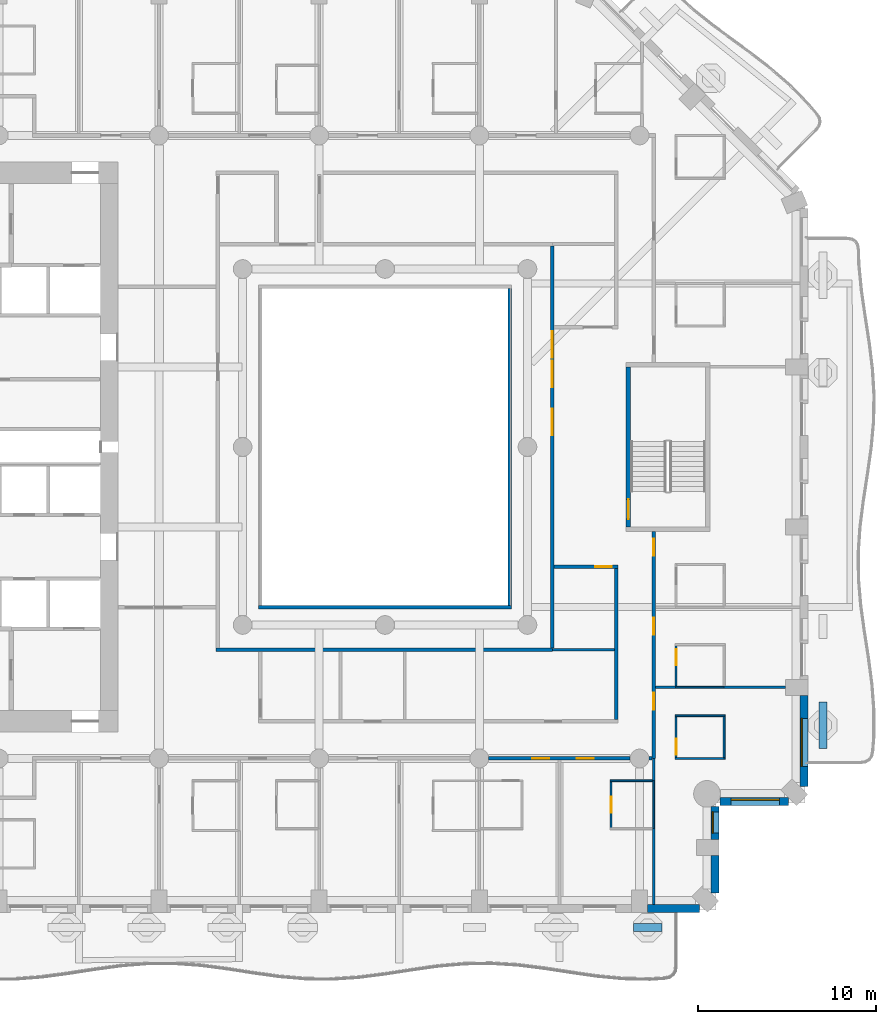
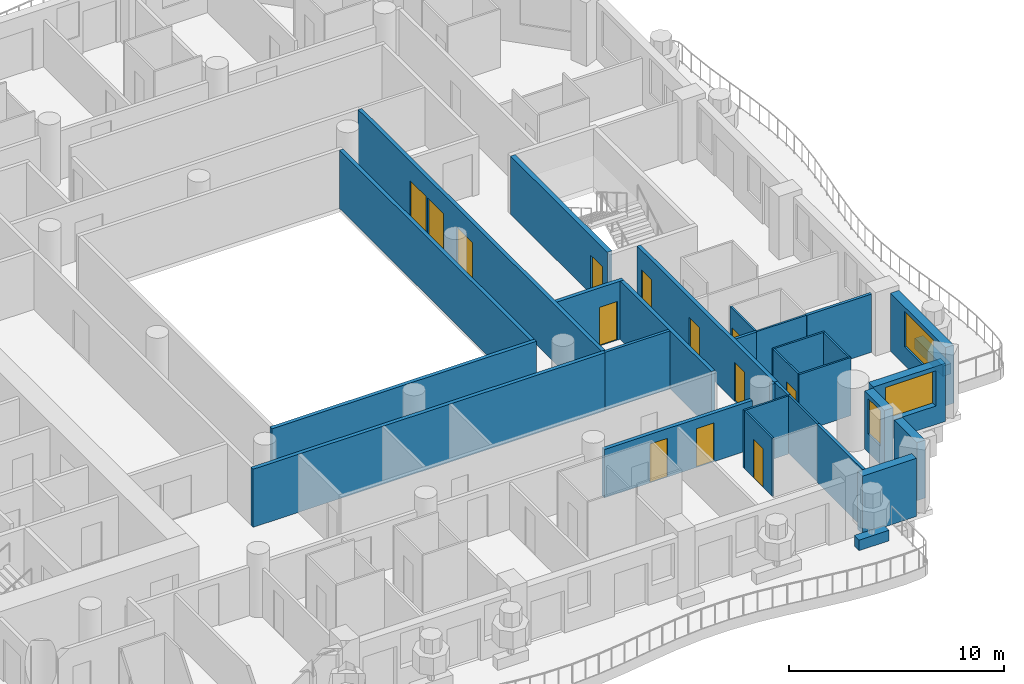
# One storey, part 6 of 20: 31 walls, 13 doors, 3 windows, 16 openings.
"""IFC4 building model written with IfcOpenShell, lengths in metres."""

from ifc_helpers import new_model, si_unit, direction, frame, frame_2d, origin, place, context, subcontext, project, spatial, rectangle, extrude, material, layer, layer_set, type_object, element, fill, save


model = new_model("IFC4")

# Units and contexts
model_context = context("Model", 3, precision=1e-05, world=origin(), true_north=direction((0.0, 1.0)))
body_context = subcontext(model_context, "Body", "Model", "MODEL_VIEW")
ifc_project = project(units=[si_unit("LENGTHUNIT", "METRE"), si_unit("AREAUNIT", "SQUARE_METRE"), si_unit("VOLUMEUNIT", "CUBIC_METRE"), si_unit("PLANEANGLEUNIT", "RADIAN"), si_unit("MASSUNIT", "GRAM", prefix="KILO")], contexts=[model_context])

# Site, building, storey
site_placement = place(None, origin())
site = spatial("IfcSite", under=ifc_project, at=site_placement, CompositionType="ELEMENT")
building_placement = place(site_placement, origin())
building = spatial("IfcBuilding", under=site, at=building_placement, Name="Cypress Arch Tower", CompositionType="ELEMENT")
storey_placement = place(building_placement, frame((0.0, 0.0, 116.699951171875)))
storey = spatial("IfcBuildingStorey", under=building, at=storey_placement, Name="L24", CompositionType="ELEMENT", Elevation=116.699951171875)

# Walls
ifc_material_1 = material(Name="Concrete C40/50, waterproofed", Category="concrete")
ifc_layer_1 = layer(ifc_material_1, 0.449951171875)
ifc_layer_set_1 = layer_set([ifc_layer_1], Name="Balcony planter wall PW450")
wall_type_1 = type_object("IfcWallType", Name="Balcony planter wall PW450", PredefinedType="SOLIDWALL", material=ifc_layer_set_1)
wall_1_placement = place(storey_placement, frame((14.949951171875, -27.0, 0.0), z_axis=(0.0, 0.0, 1.0), x_axis=(1.0, 0.0, 0.0)))
element("IfcWall", 1, at=wall_1_placement, inside=storey, type_object=wall_type_1, Name="Balcony planter wall L24-A03.7", PredefinedType="SOLIDWALL", context=body_context, shape_type="SweptSolid", body=[
    extrude(rectangle(XDim=1.60009765625, YDim=0.449951171875, at=frame_2d((0.800048828125, 0.0))), origin(), (0.0, 0.0, 1.0), 0.60009765625),
])
wall_2_placement = place(storey_placement, frame((25.60009765625, -16.949951171875, 0.0), z_axis=(0.0, 0.0, 1.0), x_axis=(0.0, 1.0, 0.0)))
element("IfcWall", 2, at=wall_2_placement, inside=storey, type_object=wall_type_1, Name="Balcony planter wall L24-A06.1", PredefinedType="SOLIDWALL", context=body_context, shape_type="SweptSolid", body=[
    extrude(rectangle(XDim=2.6142578125, YDim=0.449951171875, at=frame_2d((1.30712890625, 0.0))), origin(), (0.0, 0.0, 1.0), 0.60009765625),
])
ifc_material_2 = material(Name="Brick (red buff blend)", Category="masonry")
ifc_layer_2 = layer(ifc_material_2, 0.449951171875)
ifc_layer_set_2 = layer_set([ifc_layer_2], Name="Brick pier and spandrel wall BW450")
wall_type_2 = type_object("IfcWallType", Name="Brick pier and spandrel wall BW450", PredefinedType="SOLIDWALL", material=ifc_layer_set_2)
wall_3_placement = place(storey_placement, frame((15.75, -25.925048828125, 0.0), z_axis=(0.0, 0.0, 1.0), x_axis=(1.0, 0.0, 0.0)))
element("IfcWall", 3, at=wall_3_placement, inside=storey, type_object=wall_type_2, Name="Brick wall L24 A03.5", PredefinedType="SOLIDWALL", context=body_context, shape_type="SweptSolid", body=[
    extrude(rectangle(XDim=2.91357421875, YDim=0.449951171875, at=frame_2d((1.456787109375, 0.0))), origin(), (0.0, 0.0, 1.0), 3.300048828125),
])
wall_4_placement = place(storey_placement, frame((19.52490234375, -25.063720703125, 0.0), z_axis=(0.0, 0.0, 1.0), x_axis=(0.0, 1.0, 0.0)))
element("IfcWall", 4, at=wall_4_placement, inside=storey, type_object=wall_type_2, Name="Brick wall L24 A04.0", PredefinedType="SOLIDWALL", context=body_context, shape_type="SweptSolid", body=[
    extrude(rectangle(XDim=2.11376953125, YDim=0.449951171875, at=frame_2d((1.056884765625, 0.0))), origin(), (0.0, 0.0, 1.0), 3.300048828125),
])

# Wall, opening, window
wall_5_placement = place(storey_placement, frame((19.52490234375, -22.050048828125, 0.0), z_axis=(0.0, 0.0, 1.0), x_axis=(0.0, 1.0, 0.0)))
wall_5 = element("IfcWall", 5, at=wall_5_placement, inside=storey, type_object=wall_type_2, Name="Brick wall L24 A04.1", PredefinedType="SOLIDWALL", context=body_context, shape_type="SweptSolid", body=[
    extrude(rectangle(XDim=1.843017578125, YDim=0.449951171875, at=frame_2d((0.92138671875, 0.0))), origin(), (0.0, 0.0, 1.0), 3.300048828125),
])
opening_1_placement = place(wall_5_placement, frame((0.35009765625, 0.0, 1.050048828125)))
opening_1 = element("IfcOpeningElement", 6, at=opening_1_placement, cuts=wall_5, Name="Opening W120H", PredefinedType="OPENING", context=body_context, shape_type="SweptSolid", body=[
    extrude(rectangle(XDim=1.199951171875, YDim=2.0, at=frame_2d((0.60009765625, 1.0))), frame((0.0, 0.23486328125, 0.0), z_axis=(0.0, -1.0, 0.0), x_axis=(1.0, 0.0, 0.0)), (0.0, 0.0, 1.0), 0.469970703125),
])
ifc_material_3 = material(Name="Anodised aluminium, bronze finish, clear low-emissivity double glazing", Category="aluminium")
window_type_1 = type_object("IfcWindowType", Name="Window Hotel 1200x2000", PartitioningType="SINGLE_PANEL", PredefinedType="WINDOW", material=ifc_material_3)
window_1_placement = place(opening_1_placement, origin())
window_1 = element("IfcWindow", 7, at=window_1_placement, inside=storey, type_object=window_type_1, Name="Window L24 A04.1.1", OverallHeight=2.0, OverallWidth=1.199951171875, PartitioningType="SINGLE_PANEL", PredefinedType="WINDOW", context=body_context, shape_type="SweptSolid", body=[
    extrude(rectangle(XDim=1.199951171875, YDim=2.0, at=frame_2d((0.60009765625, 1.0))), frame((0.0, 0.135009765625, 0.0), z_axis=(0.0, -1.0, 0.0), x_axis=(1.0, 0.0, 0.0)), (0.0, 0.0, 1.0), 0.06005859375),
])
fill(opening_1, window_1)

wall_6_placement = place(storey_placement, frame((19.806884765625, -19.925048828125, 0.0), z_axis=(0.0, 0.0, 1.0), x_axis=(1.0, 0.0, 0.0)))
wall_6 = element("IfcWall", 8, at=wall_6_placement, inside=storey, type_object=wall_type_2, Name="Brick wall L24 A05.0", PredefinedType="SOLIDWALL", context=body_context, shape_type="SweptSolid", body=[
    extrude(rectangle(XDim=3.856689453125, YDim=0.449951171875, at=frame_2d((1.92822265625, 0.0))), origin(), (0.0, 0.0, 1.0), 3.300048828125),
])
opening_2_placement = place(wall_6_placement, frame((0.64306640625, 0.0, 1.050048828125)))
opening_2 = element("IfcOpeningElement", 9, at=opening_2_placement, cuts=wall_6, Name="Opening W270H", PredefinedType="OPENING", context=body_context, shape_type="SweptSolid", body=[
    extrude(rectangle(XDim=2.699951171875, YDim=2.0, at=frame_2d((1.35009765625, 1.0))), frame((0.0, 0.23486328125, 0.0), z_axis=(0.0, -1.0, 0.0), x_axis=(1.0, 0.0, 0.0)), (0.0, 0.0, 1.0), 0.469970703125),
])
ifc_material_4 = material(Name="Anodised aluminium, bronze finish, clear low-emissivity double glazing", Category="aluminium")
window_type_2 = type_object("IfcWindowType", Name="Window Hotel 2700x2000", PartitioningType="SINGLE_PANEL", PredefinedType="WINDOW", material=ifc_material_4)
window_2_placement = place(opening_2_placement, origin())
window_2 = element("IfcWindow", 10, at=window_2_placement, inside=storey, type_object=window_type_2, Name="Window L24 A05.0.1", OverallHeight=2.0, OverallWidth=2.699951171875, PartitioningType="SINGLE_PANEL", PredefinedType="WINDOW", context=body_context, shape_type="SweptSolid", body=[
    extrude(rectangle(XDim=2.699951171875, YDim=2.0, at=frame_2d((1.35009765625, 1.0))), frame((0.0, 0.135009765625, 0.0), z_axis=(0.0, -1.0, 0.0), x_axis=(1.0, 0.0, 0.0)), (0.0, 0.0, 1.0), 0.06005859375),
])
fill(opening_2, window_2)

wall_7_placement = place(storey_placement, frame((24.52490234375, -19.063720703125, 0.0), z_axis=(0.0, 0.0, 1.0), x_axis=(0.0, 1.0, 0.0)))
wall_7 = element("IfcWall", 11, at=wall_7_placement, inside=storey, type_object=wall_type_2, Name="Brick wall L24 A06.0", PredefinedType="SOLIDWALL", context=body_context, shape_type="SweptSolid", body=[
    extrude(rectangle(XDim=5.11376953125, YDim=0.449951171875, at=frame_2d((2.556884765625, 0.0))), origin(), (0.0, 0.0, 1.0), 3.300048828125),
])
opening_3_placement = place(wall_7_placement, frame((1.113525390625, 0.0, 1.050048828125)))
opening_3 = element("IfcOpeningElement", 12, at=opening_3_placement, cuts=wall_7, Name="Opening W270HD", PredefinedType="OPENING", context=body_context, shape_type="SweptSolid", body=[
    extrude(rectangle(XDim=2.699951171875, YDim=2.0, at=frame_2d((1.35009765625, 1.0))), frame((0.0, 0.23486328125, 0.0), z_axis=(0.0, -1.0, 0.0), x_axis=(1.0, 0.0, 0.0)), (0.0, 0.0, 1.0), 0.469970703125),
])
ifc_material_5 = material(Name="Anodised aluminium, bronze finish, laminated low-emissivity double glazing, large-missile impact rated", Category="aluminium")
window_type_3 = type_object("IfcWindowType", Name="Window Hotel 2700x2000 debris-rated", PartitioningType="SINGLE_PANEL", PredefinedType="WINDOW", material=ifc_material_5)
window_3_placement = place(opening_3_placement, origin())
window_3 = element("IfcWindow", 13, at=window_3_placement, inside=storey, type_object=window_type_3, Name="Window L24 A06.0.1", OverallHeight=2.0, OverallWidth=2.699951171875, PartitioningType="SINGLE_PANEL", PredefinedType="WINDOW", context=body_context, shape_type="SweptSolid", body=[
    extrude(rectangle(XDim=2.699951171875, YDim=2.0, at=frame_2d((1.35009765625, 1.0))), frame((0.0, 0.135009765625, 0.0), z_axis=(0.0, -1.0, 0.0), x_axis=(1.0, 0.0, 0.0)), (0.0, 0.0, 1.0), 0.06005859375),
])
fill(opening_3, window_3)

# Wall, openings, doors
ifc_material_6 = material(Name="Concrete blockwork, plastered, rated", Category="masonry")
ifc_layer_3 = layer(ifc_material_6, 0.199951171875)
ifc_layer_set_3 = layer_set([ifc_layer_3], Name="Corridor wall FW200")
wall_type_3 = type_object("IfcWallType", Name="Corridor wall FW200", PredefinedType="PARTITIONING", material=ifc_layer_set_3)
wall_8_placement = place(storey_placement, frame((6.824951171875, -17.5, 0.0), z_axis=(0.0, 0.0, 1.0), x_axis=(1.0, 0.0, 0.0)))
wall_8 = element("IfcWall", 14, at=wall_8_placement, inside=storey, type_object=wall_type_3, Name="Corridor wall", PredefinedType="PARTITIONING", context=body_context, shape_type="SweptSolid", body=[
    extrude(rectangle(XDim=7.949951171875, YDim=0.199951171875, at=frame_2d((3.97509765625, 0.0))), origin(), (0.0, 0.0, 1.0), 2.75),
])
opening_4_placement = place(wall_8_placement, frame((2.449951171875, 0.0, 0.0)))
opening_4 = element("IfcOpeningElement", 15, at=opening_4_placement, cuts=wall_8, Name="Opening D02", PredefinedType="OPENING", context=body_context, shape_type="SweptSolid", body=[
    extrude(rectangle(XDim=0.949951171875, YDim=2.199951171875, at=frame_2d((0.47509765625, 1.10009765625))), frame((0.0, 0.10986328125, 0.0), z_axis=(0.0, -1.0, 0.0), x_axis=(1.0, 0.0, 0.0)), (0.0, 0.0, 1.0), 0.219970703125),
])
opening_5_placement = place(wall_8_placement, frame((4.949951171875, 0.0, 0.0)))
opening_5 = element("IfcOpeningElement", 16, at=opening_5_placement, cuts=wall_8, Name="Opening D02", PredefinedType="OPENING", context=body_context, shape_type="SweptSolid", body=[
    extrude(rectangle(XDim=0.949951171875, YDim=2.199951171875, at=frame_2d((0.47509765625, 1.10009765625))), frame((0.0, 0.10986328125, 0.0), z_axis=(0.0, -1.0, 0.0), x_axis=(1.0, 0.0, 0.0)), (0.0, 0.0, 1.0), 0.219970703125),
])
ifc_material_7 = material(Name="Timber flush door, fire resisting", Category="wood")
door_type_1 = type_object("IfcDoorType", Name="Room door D02 950x2200", OperationType="SINGLE_SWING_LEFT", PredefinedType="DOOR", material=ifc_material_7)
door_1_placement = place(opening_4_placement, origin())
door_1 = element("IfcDoor", 17, at=door_1_placement, inside=storey, type_object=door_type_1, Name="Room door", OperationType="SINGLE_SWING_LEFT", OverallHeight=2.199951171875, OverallWidth=0.949951171875, PredefinedType="DOOR", context=body_context, shape_type="SweptSolid", body=[
    extrude(rectangle(XDim=0.949951171875, YDim=2.199951171875, at=frame_2d((0.47509765625, 1.10009765625))), frame((0.0, 0.02490234375, 0.0), z_axis=(0.0, -1.0, 0.0), x_axis=(1.0, 0.0, 0.0)), (0.0, 0.0, 1.0), 0.050048828125),
])
fill(opening_4, door_1)
door_2_placement = place(opening_5_placement, origin())
door_2 = element("IfcDoor", 18, at=door_2_placement, inside=storey, type_object=door_type_1, Name="Room door", OperationType="SINGLE_SWING_RIGHT", OverallHeight=2.199951171875, OverallWidth=0.949951171875, PredefinedType="DOOR", context=body_context, shape_type="SweptSolid", body=[
    extrude(rectangle(XDim=0.949951171875, YDim=2.199951171875, at=frame_2d((0.47509765625, 1.10009765625))), frame((0.0, 0.02490234375, 0.0), z_axis=(0.0, -1.0, 0.0), x_axis=(1.0, 0.0, 0.0)), (0.0, 0.0, 1.0), 0.050048828125),
])
fill(opening_5, door_2)

# Walls
wall_9_placement = place(storey_placement, frame((15.824951171875, -17.5, 0.0), z_axis=(0.0, 0.0, 1.0), x_axis=(1.0, 0.0, 0.0)))
element("IfcWall", 19, at=wall_9_placement, inside=storey, type_object=wall_type_3, Name="Corridor wall", PredefinedType="PARTITIONING", context=body_context, shape_type="SweptSolid", body=[
    extrude(rectangle(XDim=0.175048828125, YDim=0.199951171875, at=frame_2d((0.08740234375, 0.0))), origin(), (0.0, 0.0, 1.0), 3.300048828125),
])
wall_10_placement = place(storey_placement, frame((-8.5, -11.39990234375, 0.0), z_axis=(0.0, 0.0, 1.0), x_axis=(1.0, 0.0, 0.0)))
element("IfcWall", 20, at=wall_10_placement, inside=storey, type_object=wall_type_3, Name="Corridor wall", PredefinedType="PARTITIONING", context=body_context, shape_type="SweptSolid", body=[
    extrude(rectangle(XDim=18.89990234375, YDim=0.199951171875, at=frame_2d((9.449951171875, 0.0))), origin(), (0.0, 0.0, 1.0), 3.300048828125),
])
wall_11_placement = place(storey_placement, frame((-6.10009765625, -9.0, 0.0), z_axis=(0.0, 0.0, 1.0), x_axis=(1.0, 0.0, 0.0)))
element("IfcWall", 21, at=wall_11_placement, inside=storey, type_object=wall_type_3, Name="Corridor wall", PredefinedType="PARTITIONING", context=body_context, shape_type="SweptSolid", body=[
    extrude(rectangle(XDim=14.2001953125, YDim=0.199951171875, at=frame_2d((7.10009765625, 0.0))), origin(), (0.0, 0.0, 1.0), 3.300048828125),
])
wall_12_placement = place(storey_placement, frame((8.0, -8.89990234375, 0.0), z_axis=(0.0, 0.0, 1.0), x_axis=(0.0, 1.0, 0.0)))
element("IfcWall", 22, at=wall_12_placement, inside=storey, type_object=wall_type_3, Name="Corridor wall", PredefinedType="PARTITIONING", context=body_context, shape_type="SweptSolid", body=[
    extrude(rectangle(XDim=17.7998046875, YDim=0.199951171875, at=frame_2d((8.89990234375, 0.0))), origin(), (0.0, 0.0, 1.0), 3.300048828125),
])

# Wall, openings, doors
wall_13_placement = place(storey_placement, frame((10.39990234375, -11.300048828125, 0.0), z_axis=(0.0, 0.0, 1.0), x_axis=(0.0, 1.0, 0.0)))
wall_13 = element("IfcWall", 23, at=wall_13_placement, inside=storey, type_object=wall_type_3, Name="Corridor wall", PredefinedType="PARTITIONING", context=body_context, shape_type="SweptSolid", body=[
    extrude(rectangle(XDim=22.60009765625, YDim=0.199951171875, at=frame_2d((11.300048828125, 0.0))), origin(), (0.0, 0.0, 1.0), 3.300048828125),
])
opening_6_placement = place(wall_13_placement, frame((16.300048828125, 0.0, 0.0)))
opening_6 = element("IfcOpeningElement", 24, at=opening_6_placement, cuts=wall_13, Name="Opening D04", PredefinedType="OPENING", context=body_context, shape_type="SweptSolid", body=[
    extrude(rectangle(XDim=1.5, YDim=2.199951171875, at=frame_2d((0.75, 1.10009765625))), frame((0.0, 0.10986328125, 0.0), z_axis=(0.0, -1.0, 0.0), x_axis=(1.0, 0.0, 0.0)), (0.0, 0.0, 1.0), 0.219970703125),
])
opening_7_placement = place(wall_13_placement, frame((14.64990234375, 0.0, 0.0)))
opening_7 = element("IfcOpeningElement", 25, at=opening_7_placement, cuts=wall_13, Name="Opening D04", PredefinedType="OPENING", context=body_context, shape_type="SweptSolid", body=[
    extrude(rectangle(XDim=1.5, YDim=2.199951171875, at=frame_2d((0.75, 1.10009765625))), frame((0.0, 0.10986328125, 0.0), z_axis=(0.0, -1.0, 0.0), x_axis=(1.0, 0.0, 0.0)), (0.0, 0.0, 1.0), 0.219970703125),
])
opening_8_placement = place(wall_13_placement, frame((11.949951171875, 0.0, 0.0)))
opening_8 = element("IfcOpeningElement", 26, at=opening_8_placement, cuts=wall_13, Name="Opening D04", PredefinedType="OPENING", context=body_context, shape_type="SweptSolid", body=[
    extrude(rectangle(XDim=1.5, YDim=2.199951171875, at=frame_2d((0.75, 1.10009765625))), frame((0.0, 0.10986328125, 0.0), z_axis=(0.0, -1.0, 0.0), x_axis=(1.0, 0.0, 0.0)), (0.0, 0.0, 1.0), 0.219970703125),
])
ifc_material_8 = material(Name="Timber double door", Category="wood")
door_type_2 = type_object("IfcDoorType", Name="Double door D04 1500x2200", OperationType="DOUBLE_DOOR_SINGLE_SWING", PredefinedType="DOOR", material=ifc_material_8)
door_3_placement = place(opening_6_placement, origin())
door_3 = element("IfcDoor", 27, at=door_3_placement, inside=storey, type_object=door_type_2, Name="Double door", OperationType="DOUBLE_DOOR_SINGLE_SWING", OverallHeight=2.199951171875, OverallWidth=1.5, PredefinedType="DOOR", context=body_context, shape_type="SweptSolid", body=[
    extrude(rectangle(XDim=1.5, YDim=2.199951171875, at=frame_2d((0.75, 1.10009765625))), frame((0.0, 0.02490234375, 0.0), z_axis=(0.0, -1.0, 0.0), x_axis=(1.0, 0.0, 0.0)), (0.0, 0.0, 1.0), 0.050048828125),
])
fill(opening_6, door_3)
door_4_placement = place(opening_7_placement, origin())
door_4 = element("IfcDoor", 28, at=door_4_placement, inside=storey, type_object=door_type_2, Name="Double door", OperationType="DOUBLE_DOOR_SINGLE_SWING", OverallHeight=2.199951171875, OverallWidth=1.5, PredefinedType="DOOR", context=body_context, shape_type="SweptSolid", body=[
    extrude(rectangle(XDim=1.5, YDim=2.199951171875, at=frame_2d((0.75, 1.10009765625))), frame((0.0, 0.02490234375, 0.0), z_axis=(0.0, -1.0, 0.0), x_axis=(1.0, 0.0, 0.0)), (0.0, 0.0, 1.0), 0.050048828125),
])
fill(opening_7, door_4)
door_5_placement = place(opening_8_placement, origin())
door_5 = element("IfcDoor", 29, at=door_5_placement, inside=storey, type_object=door_type_2, Name="Double door", OperationType="DOUBLE_DOOR_SINGLE_SWING", OverallHeight=2.199951171875, OverallWidth=1.5, PredefinedType="DOOR", context=body_context, shape_type="SweptSolid", body=[
    extrude(rectangle(XDim=1.5, YDim=2.199951171875, at=frame_2d((0.75, 1.10009765625))), frame((0.0, 0.02490234375, 0.0), z_axis=(0.0, -1.0, 0.0), x_axis=(1.0, 0.0, 0.0)), (0.0, 0.0, 1.0), 0.050048828125),
])
fill(opening_8, door_5)

# Wall, opening, door
wall_14_placement = place(storey_placement, frame((10.5, -6.72509765625, 0.0), z_axis=(0.0, 0.0, 1.0), x_axis=(1.0, 0.0, 0.0)))
wall_14 = element("IfcWall", 30, at=wall_14_placement, inside=storey, type_object=wall_type_3, Name="Corridor wall", PredefinedType="PARTITIONING", context=body_context, shape_type="SweptSolid", body=[
    extrude(rectangle(XDim=3.60009765625, YDim=0.199951171875, at=frame_2d((1.800048828125, 0.0))), origin(), (0.0, 0.0, 1.0), 3.300048828125),
])
opening_9_placement = place(wall_14_placement, frame((2.300048828125, 0.0, 0.0)))
opening_9 = element("IfcOpeningElement", 31, at=opening_9_placement, cuts=wall_14, Name="Opening D02", PredefinedType="OPENING", context=body_context, shape_type="SweptSolid", body=[
    extrude(rectangle(XDim=0.949951171875, YDim=2.199951171875, at=frame_2d((0.47509765625, 1.10009765625))), frame((0.0, 0.10986328125, 0.0), z_axis=(0.0, -1.0, 0.0), x_axis=(1.0, 0.0, 0.0)), (0.0, 0.0, 1.0), 0.219970703125),
])
door_6_placement = place(opening_9_placement, origin())
door_6 = element("IfcDoor", 32, at=door_6_placement, inside=storey, type_object=door_type_1, Name="Room door", OperationType="SINGLE_SWING_LEFT", OverallHeight=2.199951171875, OverallWidth=0.949951171875, PredefinedType="DOOR", context=body_context, shape_type="SweptSolid", body=[
    extrude(rectangle(XDim=0.949951171875, YDim=2.199951171875, at=frame_2d((0.47509765625, 1.10009765625))), frame((0.0, 0.02490234375, 0.0), z_axis=(0.0, -1.0, 0.0), x_axis=(1.0, 0.0, 0.0)), (0.0, 0.0, 1.0), 0.050048828125),
])
fill(opening_9, door_6)

# Wall
wall_15_placement = place(storey_placement, frame((14.0, -15.300048828125, 0.0), z_axis=(0.0, 0.0, 1.0), x_axis=(0.0, 1.0, 0.0)))
element("IfcWall", 33, at=wall_15_placement, inside=storey, type_object=wall_type_3, Name="Corridor wall", PredefinedType="PARTITIONING", context=body_context, shape_type="SweptSolid", body=[
    extrude(rectangle(XDim=8.47509765625, YDim=0.199951171875, at=frame_2d((4.237548828125, 0.0))), origin(), (0.0, 0.0, 1.0), 3.300048828125),
])

# Wall, openings, doors
wall_16_placement = place(storey_placement, frame((16.10009765625, -17.5, 0.0), z_axis=(0.0, 0.0, 1.0), x_axis=(0.0, 1.0, 0.0)))
wall_16 = element("IfcWall", 34, at=wall_16_placement, inside=storey, type_object=wall_type_3, Name="Corridor wall", PredefinedType="PARTITIONING", context=body_context, shape_type="SweptSolid", body=[
    extrude(rectangle(XDim=12.75, YDim=0.199951171875, at=frame_2d((6.375, 0.0))), origin(), (0.0, 0.0, 1.0), 3.300048828125),
])
opening_10_placement = place(wall_16_placement, frame((2.75, 0.0, 0.0)))
opening_10 = element("IfcOpeningElement", 35, at=opening_10_placement, cuts=wall_16, Name="Opening D02", PredefinedType="OPENING", context=body_context, shape_type="SweptSolid", body=[
    extrude(rectangle(XDim=0.949951171875, YDim=2.199951171875, at=frame_2d((0.47509765625, 1.10009765625))), frame((0.0, 0.10986328125, 0.0), z_axis=(0.0, -1.0, 0.0), x_axis=(1.0, 0.0, 0.0)), (0.0, 0.0, 1.0), 0.219970703125),
])
opening_11_placement = place(wall_16_placement, frame((6.949951171875, 0.0, 0.0)))
opening_11 = element("IfcOpeningElement", 36, at=opening_11_placement, cuts=wall_16, Name="Opening D02", PredefinedType="OPENING", context=body_context, shape_type="SweptSolid", body=[
    extrude(rectangle(XDim=0.949951171875, YDim=2.199951171875, at=frame_2d((0.47509765625, 1.10009765625))), frame((0.0, 0.10986328125, 0.0), z_axis=(0.0, -1.0, 0.0), x_axis=(1.0, 0.0, 0.0)), (0.0, 0.0, 1.0), 0.219970703125),
])
opening_12_placement = place(wall_16_placement, frame((11.39990234375, 0.0, 0.0)))
opening_12 = element("IfcOpeningElement", 37, at=opening_12_placement, cuts=wall_16, Name="Opening D02", PredefinedType="OPENING", context=body_context, shape_type="SweptSolid", body=[
    extrude(rectangle(XDim=0.949951171875, YDim=2.199951171875, at=frame_2d((0.47509765625, 1.10009765625))), frame((0.0, 0.10986328125, 0.0), z_axis=(0.0, -1.0, 0.0), x_axis=(1.0, 0.0, 0.0)), (0.0, 0.0, 1.0), 0.219970703125),
])
door_7_placement = place(opening_10_placement, origin())
door_7 = element("IfcDoor", 38, at=door_7_placement, inside=storey, type_object=door_type_1, Name="Room door", OperationType="SINGLE_SWING_LEFT", OverallHeight=2.199951171875, OverallWidth=0.949951171875, PredefinedType="DOOR", context=body_context, shape_type="SweptSolid", body=[
    extrude(rectangle(XDim=0.949951171875, YDim=2.199951171875, at=frame_2d((0.47509765625, 1.10009765625))), frame((0.0, 0.02490234375, 0.0), z_axis=(0.0, -1.0, 0.0), x_axis=(1.0, 0.0, 0.0)), (0.0, 0.0, 1.0), 0.050048828125),
])
fill(opening_10, door_7)
door_8_placement = place(opening_11_placement, origin())
door_8 = element("IfcDoor", 39, at=door_8_placement, inside=storey, type_object=door_type_1, Name="Room door", OperationType="SINGLE_SWING_LEFT", OverallHeight=2.199951171875, OverallWidth=0.949951171875, PredefinedType="DOOR", context=body_context, shape_type="SweptSolid", body=[
    extrude(rectangle(XDim=0.949951171875, YDim=2.199951171875, at=frame_2d((0.47509765625, 1.10009765625))), frame((0.0, 0.02490234375, 0.0), z_axis=(0.0, -1.0, 0.0), x_axis=(1.0, 0.0, 0.0)), (0.0, 0.0, 1.0), 0.050048828125),
])
fill(opening_11, door_8)
door_9_placement = place(opening_12_placement, origin())
door_9 = element("IfcDoor", 40, at=door_9_placement, inside=storey, type_object=door_type_1, Name="Room door", OperationType="SINGLE_SWING_LEFT", OverallHeight=2.199951171875, OverallWidth=0.949951171875, PredefinedType="DOOR", context=body_context, shape_type="SweptSolid", body=[
    extrude(rectangle(XDim=0.949951171875, YDim=2.199951171875, at=frame_2d((0.47509765625, 1.10009765625))), frame((0.0, 0.02490234375, 0.0), z_axis=(0.0, -1.0, 0.0), x_axis=(1.0, 0.0, 0.0)), (0.0, 0.0, 1.0), 0.050048828125),
])
fill(opening_12, door_9)

# Walls
ifc_material_9 = material(Name="Blockwork, plastered both sides", Category="masonry")
ifc_layer_4 = layer(ifc_material_9, 0.14990234375)
ifc_layer_set_4 = layer_set([ifc_layer_4], Name="Partition PW150")
wall_type_4 = type_object("IfcWallType", Name="Partition PW150", PredefinedType="PARTITIONING", material=ifc_layer_set_4)
wall_17_placement = place(storey_placement, frame((10.39990234375, -11.39990234375, 0.0), z_axis=(0.0, 0.0, 1.0), x_axis=(1.0, 0.0, 0.0)))
element("IfcWall", 41, at=wall_17_placement, inside=storey, type_object=wall_type_4, Name="Partition", PredefinedType="PARTITIONING", context=body_context, shape_type="SweptSolid", body=[
    extrude(rectangle(XDim=3.5, YDim=0.14990234375, at=frame_2d((1.75, 0.0))), origin(), (0.0, 0.0, 1.0), 3.300048828125),
])
wall_18_placement = place(storey_placement, frame((16.10009765625, -25.699951171875, 0.0), z_axis=(0.0, 0.0, 1.0), x_axis=(0.0, 1.0, 0.0)))
element("IfcWall", 42, at=wall_18_placement, inside=storey, type_object=wall_type_4, Name="Partition", PredefinedType="PARTITIONING", context=body_context, shape_type="SweptSolid", body=[
    extrude(rectangle(XDim=4.27001953125, YDim=0.14990234375, at=frame_2d((2.135009765625, 0.0))), origin(), (0.0, 0.0, 1.0), 3.300048828125),
])
wall_19_placement = place(storey_placement, frame((16.10009765625, -18.72998046875, 0.0), z_axis=(0.0, 0.0, 1.0), x_axis=(0.0, 1.0, 0.0)))
element("IfcWall", 43, at=wall_19_placement, inside=storey, type_object=wall_type_4, Name="Partition", PredefinedType="PARTITIONING", context=body_context, shape_type="SweptSolid", body=[
    extrude(rectangle(XDim=1.22998046875, YDim=0.14990234375, at=frame_2d((0.614990234375, 0.0))), origin(), (0.0, 0.0, 1.0), 3.300048828125),
])
wall_20_placement = place(storey_placement, frame((16.199951171875, -13.5, 0.0), z_axis=(0.0, 0.0, 1.0), x_axis=(1.0, 0.0, 0.0)))
element("IfcWall", 44, at=wall_20_placement, inside=storey, type_object=wall_type_4, Name="Partition", PredefinedType="PARTITIONING", context=body_context, shape_type="SweptSolid", body=[
    extrude(rectangle(XDim=1.130126953125, YDim=0.14990234375, at=frame_2d((0.56494140625, 0.0))), origin(), (0.0, 0.0, 1.0), 3.300048828125),
])
wall_21_placement = place(storey_placement, frame((20.030029296875, -13.5, 0.0), z_axis=(0.0, 0.0, 1.0), x_axis=(1.0, 0.0, 0.0)))
element("IfcWall", 45, at=wall_21_placement, inside=storey, type_object=wall_type_4, Name="Partition", PredefinedType="PARTITIONING", context=body_context, shape_type="SweptSolid", body=[
    extrude(rectangle(XDim=3.469970703125, YDim=0.14990234375, at=frame_2d((1.73486328125, 0.0))), origin(), (0.0, 0.0, 1.0), 3.300048828125),
])

# Wall, opening, door
ifc_material_10 = material(Name="Concrete C50/60", Category="concrete")
ifc_layer_5 = layer(ifc_material_10, 0.25)
ifc_layer_set_5 = layer_set([ifc_layer_5], Name="Stair enclosure wall SW250")
wall_type_5 = type_object("IfcWallType", Name="Stair enclosure wall SW250", PredefinedType="SHEAR", material=ifc_layer_set_5)
wall_22_placement = place(storey_placement, frame((14.675048828125, -4.5, 0.0), z_axis=(0.0, 0.0, 1.0), x_axis=(0.0, 1.0, 0.0)))
wall_22 = element("IfcWall", 46, at=wall_22_placement, inside=storey, type_object=wall_type_5, Name="Stair enclosure wall", PredefinedType="SHEAR", context=body_context, shape_type="SweptSolid", body=[
    extrude(rectangle(XDim=9.0, YDim=0.25, at=frame_2d((4.5, 0.0))), origin(), (0.0, 0.0, 1.0), 3.300048828125),
])
opening_13_placement = place(wall_22_placement, frame((0.449951171875, 0.0, 0.0)))
opening_13 = element("IfcOpeningElement", 47, at=opening_13_placement, cuts=wall_22, Name="Opening D06", PredefinedType="OPENING", context=body_context, shape_type="SweptSolid", body=[
    extrude(rectangle(XDim=1.10009765625, YDim=2.199951171875, at=frame_2d((0.550048828125, 1.10009765625))), frame((0.0, 0.135009765625, 0.0), z_axis=(0.0, -1.0, 0.0), x_axis=(1.0, 0.0, 0.0)), (0.0, 0.0, 1.0), 0.27001953125),
])
ifc_material_11 = material(Name="Steel door, fire resisting, panic bar", Category="steel")
door_type_3 = type_object("IfcDoorType", Name="Stair door D06 1100x2200", OperationType="SINGLE_SWING_LEFT", PredefinedType="DOOR", material=ifc_material_11)
door_10_placement = place(opening_13_placement, origin())
door_10 = element("IfcDoor", 48, at=door_10_placement, inside=storey, type_object=door_type_3, Name="Stair door", OperationType="SINGLE_SWING_RIGHT", OverallHeight=2.199951171875, OverallWidth=1.10009765625, PredefinedType="DOOR", context=body_context, shape_type="SweptSolid", body=[
    extrude(rectangle(XDim=1.10009765625, YDim=2.199951171875, at=frame_2d((0.550048828125, 1.10009765625))), frame((0.0, 0.02490234375, 0.0), z_axis=(0.0, -1.0, 0.0), x_axis=(1.0, 0.0, 0.0)), (0.0, 0.0, 1.0), 0.050048828125),
])
fill(opening_13, door_10)

ifc_material_12 = material(Name="Moisture resistant board on steel studs, tiled", Category="steel")
ifc_layer_6 = layer(ifc_material_12, 0.10009765625)
ifc_layer_set_6 = layer_set([ifc_layer_6], Name="Wet wall PW100")
wall_type_6 = type_object("IfcWallType", Name="Wet wall PW100", PredefinedType="PARTITIONING", material=ifc_layer_set_6)
wall_23_placement = place(storey_placement, frame((13.699951171875, -21.39990234375, 0.0), z_axis=(0.0, 0.0, 1.0), x_axis=(0.0, 1.0, 0.0)))
wall_23 = element("IfcWall", 49, at=wall_23_placement, inside=storey, type_object=wall_type_6, Name="Wet wall", PredefinedType="PARTITIONING", context=body_context, shape_type="SweptSolid", body=[
    extrude(rectangle(XDim=2.599853515625, YDim=0.10009765625, at=frame_2d((1.2998046875, 0.0))), origin(), (0.0, 0.0, 1.0), 3.300048828125),
])
opening_14_placement = place(wall_23_placement, frame((0.85009765625, 0.0, 0.0)))
opening_14 = element("IfcOpeningElement", 50, at=opening_14_placement, cuts=wall_23, Name="Opening D03", PredefinedType="OPENING", context=body_context, shape_type="SweptSolid", body=[
    extrude(rectangle(XDim=0.89990234375, YDim=2.199951171875, at=frame_2d((0.449951171875, 1.10009765625))), frame((0.0, 0.06005859375, 0.0), z_axis=(0.0, -1.0, 0.0), x_axis=(1.0, 0.0, 0.0)), (0.0, 0.0, 1.0), 0.1201171875),
])
ifc_material_13 = material(Name="Timber flush door, moisture resistant", Category="wood")
door_type_4 = type_object("IfcDoorType", Name="Bathroom door D03 900x2200", OperationType="SINGLE_SWING_LEFT", PredefinedType="DOOR", material=ifc_material_13)
door_11_placement = place(opening_14_placement, origin())
door_11 = element("IfcDoor", 51, at=door_11_placement, inside=storey, type_object=door_type_4, Name="Bathroom door", OperationType="SINGLE_SWING_LEFT", OverallHeight=2.199951171875, OverallWidth=0.89990234375, PredefinedType="DOOR", context=body_context, shape_type="SweptSolid", body=[
    extrude(rectangle(XDim=0.89990234375, YDim=2.199951171875, at=frame_2d((0.449951171875, 1.10009765625))), frame((0.0, 0.02490234375, 0.0), z_axis=(0.0, -1.0, 0.0), x_axis=(1.0, 0.0, 0.0)), (0.0, 0.0, 1.0), 0.050048828125),
])
fill(opening_14, door_11)

# Walls
wall_24_placement = place(storey_placement, frame((13.64990234375, -18.75, 0.0), z_axis=(0.0, 0.0, 1.0), x_axis=(1.0, 0.0, 0.0)))
element("IfcWall", 52, at=wall_24_placement, inside=storey, type_object=wall_type_6, Name="Wet wall", PredefinedType="PARTITIONING", context=body_context, shape_type="SweptSolid", body=[
    extrude(rectangle(XDim=2.375, YDim=0.10009765625, at=frame_2d((1.1875, 0.0))), origin(), (0.0, 0.0, 1.0), 3.300048828125),
])
for number, where, z_axis, x_axis, name in (
    (53, (16.10009765625, -21.429931640625, 0.0), (0.0, 0.0, 1.0), (0.0, 1.0, 0.0), "Wet wall"),
    (54, (17.330078125, -13.5, 0.0), (0.0, 0.0, 1.0), (1.0, 0.0, 0.0), "Wet wall"),
):
    element("IfcWall", number, at=place(storey_placement, frame(where, z_axis=z_axis, x_axis=x_axis)), inside=storey, type_object=wall_type_6, Name=name, PredefinedType="PARTITIONING", context=body_context, shape_type="SweptSolid", body=[
        extrude(rectangle(XDim=2.699951171875, YDim=0.10009765625, at=frame_2d((1.35009765625, 0.0))), origin(), (0.0, 0.0, 1.0), 3.300048828125),
    ])

# Wall, opening, door
wall_25_placement = place(storey_placement, frame((17.35009765625, -17.449951171875, 0.0), z_axis=(0.0, 0.0, 1.0), x_axis=(0.0, 1.0, 0.0)))
wall_25 = element("IfcWall", 55, at=wall_25_placement, inside=storey, type_object=wall_type_6, Name="Wet wall", PredefinedType="PARTITIONING", context=body_context, shape_type="SweptSolid", body=[
    extrude(rectangle(XDim=2.300048828125, YDim=0.10009765625, at=frame_2d((1.14990234375, 0.0))), origin(), (0.0, 0.0, 1.0), 3.300048828125),
])
opening_15_placement = place(wall_25_placement, frame((0.14990234375, 0.0, 0.0)))
opening_15 = element("IfcOpeningElement", 56, at=opening_15_placement, cuts=wall_25, Name="Opening D03", PredefinedType="OPENING", context=body_context, shape_type="SweptSolid", body=[
    extrude(rectangle(XDim=0.89990234375, YDim=2.199951171875, at=frame_2d((0.449951171875, 1.10009765625))), frame((0.0, 0.06005859375, 0.0), z_axis=(0.0, -1.0, 0.0), x_axis=(1.0, 0.0, 0.0)), (0.0, 0.0, 1.0), 0.1201171875),
])
door_12_placement = place(opening_15_placement, origin())
door_12 = element("IfcDoor", 57, at=door_12_placement, inside=storey, type_object=door_type_4, Name="Bathroom door", OperationType="SINGLE_SWING_RIGHT", OverallHeight=2.199951171875, OverallWidth=0.89990234375, PredefinedType="DOOR", context=body_context, shape_type="SweptSolid", body=[
    extrude(rectangle(XDim=0.89990234375, YDim=2.199951171875, at=frame_2d((0.449951171875, 1.10009765625))), frame((0.0, 0.02490234375, 0.0), z_axis=(0.0, -1.0, 0.0), x_axis=(1.0, 0.0, 0.0)), (0.0, 0.0, 1.0), 0.050048828125),
])
fill(opening_15, door_12)

# Walls
for number, where, z_axis, x_axis, name in (
    (58, (17.300048828125, -17.5, 0.0), (0.0, 0.0, 1.0), (1.0, 0.0, 0.0), "Wet wall"),
    (59, (17.300048828125, -15.10009765625, 0.0), (0.0, 0.0, 1.0), (1.0, 0.0, 0.0), "Wet wall"),
):
    element("IfcWall", number, at=place(storey_placement, frame(where, z_axis=z_axis, x_axis=x_axis)), inside=storey, type_object=wall_type_6, Name=name, PredefinedType="PARTITIONING", context=body_context, shape_type="SweptSolid", body=[
        extrude(rectangle(XDim=2.800048828125, YDim=0.10009765625, at=frame_2d((1.39990234375, 0.0))), origin(), (0.0, 0.0, 1.0), 3.300048828125),
    ])

# Wall, opening, door
wall_26_placement = place(storey_placement, frame((17.35009765625, -13.449951171875, 0.0), z_axis=(0.0, 0.0, 1.0), x_axis=(0.0, 1.0, 0.0)))
wall_26 = element("IfcWall", 60, at=wall_26_placement, inside=storey, type_object=wall_type_6, Name="Wet wall", PredefinedType="PARTITIONING", context=body_context, shape_type="SweptSolid", body=[
    extrude(rectangle(XDim=2.2958984375, YDim=0.10009765625, at=frame_2d((1.14794921875, 0.0))), origin(), (0.0, 0.0, 1.0), 3.300048828125),
])
opening_16_placement = place(wall_26_placement, frame((1.199951171875, 0.0, 0.0)))
opening_16 = element("IfcOpeningElement", 61, at=opening_16_placement, cuts=wall_26, Name="Opening D03", PredefinedType="OPENING", context=body_context, shape_type="SweptSolid", body=[
    extrude(rectangle(XDim=0.89990234375, YDim=2.199951171875, at=frame_2d((0.449951171875, 1.10009765625))), frame((0.0, 0.06005859375, 0.0), z_axis=(0.0, -1.0, 0.0), x_axis=(1.0, 0.0, 0.0)), (0.0, 0.0, 1.0), 0.1201171875),
])
door_13_placement = place(opening_16_placement, origin())
door_13 = element("IfcDoor", 62, at=door_13_placement, inside=storey, type_object=door_type_4, Name="Bathroom door", OperationType="SINGLE_SWING_LEFT", OverallHeight=2.199951171875, OverallWidth=0.89990234375, PredefinedType="DOOR", context=body_context, shape_type="SweptSolid", body=[
    extrude(rectangle(XDim=0.89990234375, YDim=2.199951171875, at=frame_2d((0.449951171875, 1.10009765625))), frame((0.0, 0.02490234375, 0.0), z_axis=(0.0, -1.0, 0.0), x_axis=(1.0, 0.0, 0.0)), (0.0, 0.0, 1.0), 0.050048828125),
])
fill(opening_16, door_13)

# Wall
wall_27_placement = place(storey_placement, frame((20.050048828125, -17.449951171875, 0.0), z_axis=(0.0, 0.0, 1.0), x_axis=(0.0, 1.0, 0.0)))
element("IfcWall", 63, at=wall_27_placement, inside=storey, type_object=wall_type_6, Name="Wet wall", PredefinedType="PARTITIONING", context=body_context, shape_type="SweptSolid", body=[
    extrude(rectangle(XDim=2.300048828125, YDim=0.10009765625, at=frame_2d((1.14990234375, 0.0))), origin(), (0.0, 0.0, 1.0), 3.300048828125),
])

save(model, "model.ifc")
